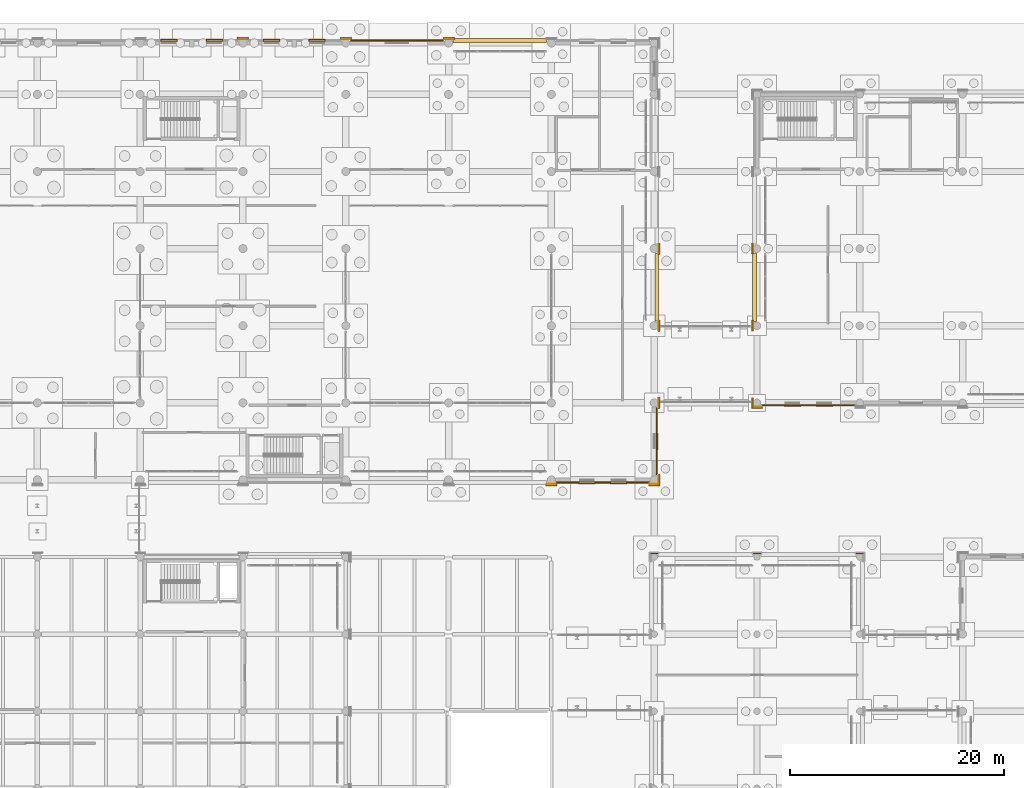
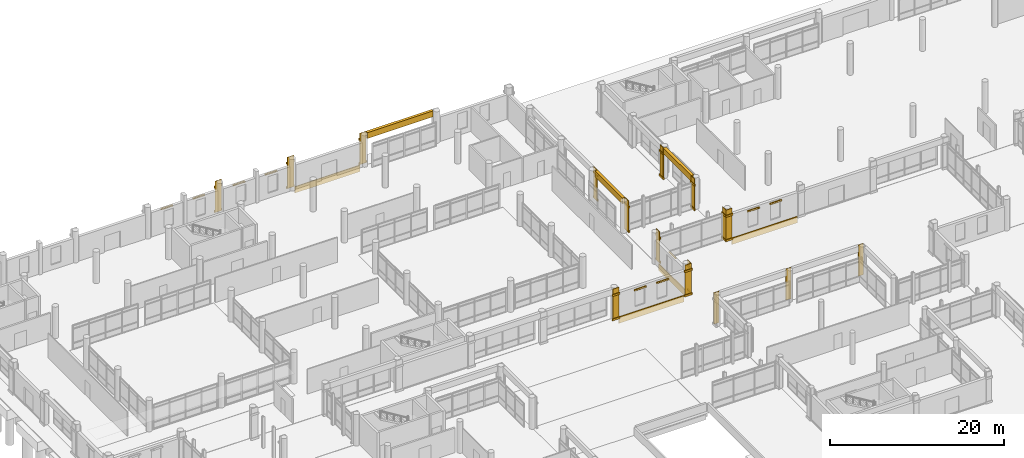
# One storey, part 187 of 196: 58 coverings.
"""IFC4 building model written with IfcOpenShell, lengths in metres."""

from ifc_helpers import new_model, si_unit, direction, frame, origin, origin_2d, place, context, subcontext, project, spatial, rectangle, extrude, material, layer, layer_set, type_object, element, save


model = new_model("IFC4")

# Units and contexts
model_context = context("Model", 3, precision=1e-05, world=origin(), true_north=direction((0.0, 1.0)))
body_context = subcontext(model_context, "Body", "Model", "MODEL_VIEW")
ifc_project = project(units=[si_unit("LENGTHUNIT", "METRE"), si_unit("AREAUNIT", "SQUARE_METRE"), si_unit("VOLUMEUNIT", "CUBIC_METRE"), si_unit("PLANEANGLEUNIT", "RADIAN"), si_unit("MASSUNIT", "GRAM", prefix="KILO")], contexts=[model_context])

# Site, building, storey
site_placement = place(None, origin())
site = spatial("IfcSite", under=ifc_project, at=site_placement, CompositionType="ELEMENT")
building_placement = place(site_placement, origin())
building = spatial("IfcBuilding", under=site, at=building_placement, Name="Asteropetra Specialist Clinic", CompositionType="ELEMENT")
storey_placement = place(building_placement, origin())
storey = spatial("IfcBuildingStorey", under=building, at=storey_placement, Name="L00", CompositionType="ELEMENT", Elevation=0.0)

# Coverings
ifc_material = material(Name="Pentelic marble ashlar", Category="masonry")
ifc_layer = layer(ifc_material, 0.159912109375)
ifc_layer_set = layer_set([ifc_layer], Name="Pentelic marble ashlar")
covering_type = type_object("IfcCoveringType", Name="CRN-ENTAB-600", PredefinedType="MOLDING", material=ifc_layer_set)
covering_1_placement = place(storey_placement, frame((62.39990234375, 110.639892578125, 3.58984375), z_axis=(0.0, 0.0, 1.0), x_axis=(1.0, 0.0, 0.0)))
element("IfcCovering", 1, at=covering_1_placement, inside=storey, type_object=covering_type, Name="Stoa Classical Entablature SE-0066", PredefinedType="MOLDING", context=body_context, shape_type="SweptSolid", body=[
    extrude(rectangle(XDim=8.72998046875, YDim=0.360107421875, at=origin_2d()), origin(), (0.0, 0.0, 1.0), 0.820068359375),
])
covering_2_placement = place(storey_placement, frame((77.0400390625, 87.60009765625, 3.58984375), z_axis=(0.0, 0.0, 1.0), x_axis=(1.0, 0.0, 0.0)))
element("IfcCovering", 2, at=covering_2_placement, inside=storey, type_object=covering_type, Name="Stoa Classical Entablature SE-0068", PredefinedType="MOLDING", context=body_context, shape_type="SweptSolid", body=[
    extrude(rectangle(XDim=0.360107421875, YDim=6.330078125, at=origin_2d()), origin(), (0.0, 0.0, 1.0), 0.820068359375),
])
covering_3_placement = place(storey_placement, frame((86.159912109375, 87.60009765625, 3.58984375), z_axis=(0.0, 0.0, 1.0), x_axis=(1.0, 0.0, 0.0)))
element("IfcCovering", 3, at=covering_3_placement, inside=storey, type_object=covering_type, Name="Stoa Classical Entablature SE-0093", PredefinedType="MOLDING", context=body_context, shape_type="SweptSolid", body=[
    extrude(rectangle(XDim=0.360107421875, YDim=6.3798828125, at=origin_2d()), origin(), (0.0, 0.0, 1.0), 0.820068359375),
])
covering_4_placement = place(storey_placement, frame((86.39990234375, 76.41796875, 0.02001953125), z_axis=(0.0, 0.0, 1.0), x_axis=(1.0, 0.0, 0.0)))
element("IfcCovering", 4, at=covering_4_placement, inside=storey, type_object=covering_type, Name="Neoclassical Pilaster Facing CM-0097", PredefinedType="MOLDING", context=body_context, shape_type="SweptSolid", body=[
    extrude(rectangle(XDim=0.780029296875, YDim=0.080078125, at=origin_2d()), origin(), (0.0, 0.0, 1.0), 4.3798828125),
])
for number, where, z_axis, x_axis, name in (
    (5, (86.39990234375, 76.3779296875, 0.009765625), (0.0, 0.0, 1.0), (1.0, 0.0, 0.0), "Doric Base CC-0098"),
    (6, (86.39990234375, 76.3779296875, 3.43017578125), (0.0, 0.0, 1.0), (1.0, 0.0, 0.0), "Doric Capital CC-0099"),
):
    element("IfcCovering", number, at=place(storey_placement, frame(where, z_axis=z_axis, x_axis=x_axis)), inside=storey, type_object=covering_type, Name=name, PredefinedType="MOLDING", context=body_context, shape_type="SweptSolid", body=[
        extrude(rectangle(XDim=0.97998046875, YDim=0.159912109375, at=origin_2d()), origin(), (0.0, 0.0, 1.0), 0.260009765625),
    ])
covering_5_placement = place(storey_placement, frame((86.01806640625, 76.800048828125, 0.02001953125), z_axis=(0.0, 0.0, 1.0), x_axis=(1.0, 0.0, 0.0)))
element("IfcCovering", 7, at=covering_5_placement, inside=storey, type_object=covering_type, Name="Neoclassical Pilaster Facing CM-0100", PredefinedType="MOLDING", context=body_context, shape_type="SweptSolid", body=[
    extrude(rectangle(XDim=0.080078125, YDim=0.780029296875, at=origin_2d()), origin(), (0.0, 0.0, 1.0), 4.3798828125),
])
for number, where, z_axis, x_axis, name in (
    (8, (85.97802734375, 76.800048828125, 0.009765625), (0.0, 0.0, 1.0), (1.0, 0.0, 0.0), "Doric Base CC-0101"),
    (9, (85.97802734375, 76.800048828125, 3.43017578125), (0.0, 0.0, 1.0), (1.0, 0.0, 0.0), "Doric Capital CC-0102"),
):
    element("IfcCovering", number, at=place(storey_placement, frame(where, z_axis=z_axis, x_axis=x_axis)), inside=storey, type_object=covering_type, Name=name, PredefinedType="MOLDING", context=body_context, shape_type="SweptSolid", body=[
        extrude(rectangle(XDim=0.159912109375, YDim=0.97998046875, at=origin_2d()), origin(), (0.0, 0.0, 1.0), 0.260009765625),
    ])
covering_6_placement = place(storey_placement, frame((86.01806640625, 84.0, 0.02001953125), z_axis=(0.0, 0.0, 1.0), x_axis=(1.0, 0.0, 0.0)))
element("IfcCovering", 10, at=covering_6_placement, inside=storey, type_object=covering_type, Name="Neoclassical Pilaster Facing CM-0103", PredefinedType="MOLDING", context=body_context, shape_type="SweptSolid", body=[
    extrude(rectangle(XDim=0.080078125, YDim=0.780029296875, at=origin_2d()), origin(), (0.0, 0.0, 1.0), 4.3798828125),
])
for number, where, z_axis, x_axis, name in (
    (11, (85.97802734375, 84.0, 0.009765625), (0.0, 0.0, 1.0), (1.0, 0.0, 0.0), "Doric Base CC-0104"),
    (12, (85.97802734375, 84.0, 3.43017578125), (0.0, 0.0, 1.0), (1.0, 0.0, 0.0), "Doric Capital CC-0105"),
):
    element("IfcCovering", number, at=place(storey_placement, frame(where, z_axis=z_axis, x_axis=x_axis)), inside=storey, type_object=covering_type, Name=name, PredefinedType="MOLDING", context=body_context, shape_type="SweptSolid", body=[
        extrude(rectangle(XDim=0.159912109375, YDim=0.97998046875, at=origin_2d()), origin(), (0.0, 0.0, 1.0), 0.260009765625),
    ])
covering_7_placement = place(storey_placement, frame((86.01806640625, 91.199951171875, 0.02001953125), z_axis=(0.0, 0.0, 1.0), x_axis=(1.0, 0.0, 0.0)))
element("IfcCovering", 13, at=covering_7_placement, inside=storey, type_object=covering_type, Name="Neoclassical Pilaster Facing CM-0106", PredefinedType="MOLDING", context=body_context, shape_type="SweptSolid", body=[
    extrude(rectangle(XDim=0.080078125, YDim=0.780029296875, at=origin_2d()), origin(), (0.0, 0.0, 1.0), 4.3798828125),
])
for number, where, z_axis, x_axis, name in (
    (14, (85.97802734375, 91.199951171875, 0.009765625), (0.0, 0.0, 1.0), (1.0, 0.0, 0.0), "Doric Base CC-0107"),
    (15, (85.97802734375, 91.199951171875, 3.43017578125), (0.0, 0.0, 1.0), (1.0, 0.0, 0.0), "Doric Capital CC-0108"),
):
    element("IfcCovering", number, at=place(storey_placement, frame(where, z_axis=z_axis, x_axis=x_axis)), inside=storey, type_object=covering_type, Name=name, PredefinedType="MOLDING", context=body_context, shape_type="SweptSolid", body=[
        extrude(rectangle(XDim=0.159912109375, YDim=0.97998046875, at=origin_2d()), origin(), (0.0, 0.0, 1.0), 0.260009765625),
    ])
for number, where, z_axis, x_axis, name in (
    (16, (76.800048828125, 62.73193359375, 0.02001953125), (0.0, 0.0, 1.0), (1.0, 0.0, 0.0), "Neoclassical Pilaster Facing CM-0394"),
    (17, (86.39990234375, 62.73193359375, 0.02001953125), (0.0, 0.0, 1.0), (1.0, 0.0, 0.0), "Neoclassical Pilaster Facing CM-0403"),
    (18, (96.0, 62.73193359375, 0.02001953125), (0.0, 0.0, 1.0), (1.0, 0.0, 0.0), "Neoclassical Pilaster Facing CM-0421"),
):
    element("IfcCovering", number, at=place(storey_placement, frame(where, z_axis=z_axis, x_axis=x_axis)), inside=storey, type_object=covering_type, Name=name, PredefinedType="MOLDING", context=body_context, shape_type="SweptSolid", body=[
        extrude(rectangle(XDim=0.679931640625, YDim=0.080078125, at=origin_2d()), origin(), (0.0, 0.0, 1.0), 4.3798828125),
    ])
covering_8_placement = place(storey_placement, frame((38.39990234375, 110.806884765625, 0.02001953125), z_axis=(0.0, 0.0, 1.0), x_axis=(1.0, 0.0, 0.0)))
element("IfcCovering", 19, at=covering_8_placement, inside=storey, type_object=covering_type, Name="Neoclassical Pilaster Facing CM-0505", PredefinedType="MOLDING", context=body_context, shape_type="SweptSolid", body=[
    extrude(rectangle(XDim=0.830078125, YDim=0.080078125, at=origin_2d()), origin(), (0.0, 0.0, 1.0), 4.3798828125),
])
for number, where, z_axis, x_axis, name in (
    (20, (38.39990234375, 110.846923828125, 0.009765625), (0.0, 0.0, 1.0), (1.0, 0.0, 0.0), "Doric Base CC-0506"),
    (21, (38.39990234375, 110.846923828125, 3.43017578125), (0.0, 0.0, 1.0), (1.0, 0.0, 0.0), "Doric Capital CC-0507"),
):
    element("IfcCovering", number, at=place(storey_placement, frame(where, z_axis=z_axis, x_axis=x_axis)), inside=storey, type_object=covering_type, Name=name, PredefinedType="MOLDING", context=body_context, shape_type="SweptSolid", body=[
        extrude(rectangle(XDim=1.030029296875, YDim=0.159912109375, at=origin_2d()), origin(), (0.0, 0.0, 1.0), 0.260009765625),
    ])
covering_9_placement = place(storey_placement, frame((48.0, 110.806884765625, 0.02001953125), z_axis=(0.0, 0.0, 1.0), x_axis=(1.0, 0.0, 0.0)))
element("IfcCovering", 22, at=covering_9_placement, inside=storey, type_object=covering_type, Name="Neoclassical Pilaster Facing CM-0511", PredefinedType="MOLDING", context=body_context, shape_type="SweptSolid", body=[
    extrude(rectangle(XDim=0.830078125, YDim=0.080078125, at=origin_2d()), origin(), (0.0, 0.0, 1.0), 4.3798828125),
])
for number, where, z_axis, x_axis, name in (
    (23, (48.0, 110.846923828125, 0.009765625), (0.0, 0.0, 1.0), (1.0, 0.0, 0.0), "Doric Base CC-0512"),
    (24, (48.0, 110.846923828125, 3.43017578125), (0.0, 0.0, 1.0), (1.0, 0.0, 0.0), "Doric Capital CC-0513"),
):
    element("IfcCovering", number, at=place(storey_placement, frame(where, z_axis=z_axis, x_axis=x_axis)), inside=storey, type_object=covering_type, Name=name, PredefinedType="MOLDING", context=body_context, shape_type="SweptSolid", body=[
        extrude(rectangle(XDim=1.030029296875, YDim=0.159912109375, at=origin_2d()), origin(), (0.0, 0.0, 1.0), 0.260009765625),
    ])
covering_10_placement = place(storey_placement, frame((57.60009765625, 110.806884765625, 0.02001953125), z_axis=(0.0, 0.0, 1.0), x_axis=(1.0, 0.0, 0.0)))
element("IfcCovering", 25, at=covering_10_placement, inside=storey, type_object=covering_type, Name="Neoclassical Pilaster Facing CM-0517", PredefinedType="MOLDING", context=body_context, shape_type="SweptSolid", body=[
    extrude(rectangle(XDim=0.830078125, YDim=0.080078125, at=origin_2d()), origin(), (0.0, 0.0, 1.0), 4.3798828125),
])
for number, where, z_axis, x_axis, name in (
    (26, (57.60009765625, 110.846923828125, 0.009765625), (0.0, 0.0, 1.0), (1.0, 0.0, 0.0), "Doric Base CC-0518"),
    (27, (57.60009765625, 110.846923828125, 3.43017578125), (0.0, 0.0, 1.0), (1.0, 0.0, 0.0), "Doric Capital CC-0519"),
):
    element("IfcCovering", number, at=place(storey_placement, frame(where, z_axis=z_axis, x_axis=x_axis)), inside=storey, type_object=covering_type, Name=name, PredefinedType="MOLDING", context=body_context, shape_type="SweptSolid", body=[
        extrude(rectangle(XDim=1.030029296875, YDim=0.159912109375, at=origin_2d()), origin(), (0.0, 0.0, 1.0), 0.260009765625),
    ])
covering_11_placement = place(storey_placement, frame((67.199951171875, 69.193115234375, 0.02001953125), z_axis=(0.0, 0.0, 1.0), x_axis=(1.0, 0.0, 0.0)))
element("IfcCovering", 28, at=covering_11_placement, inside=storey, type_object=covering_type, Name="Neoclassical Pilaster Facing CM-0520", PredefinedType="MOLDING", context=body_context, shape_type="SweptSolid", body=[
    extrude(rectangle(XDim=0.830078125, YDim=0.080078125, at=origin_2d()), origin(), (0.0, 0.0, 1.0), 4.3798828125),
])
for number, where, z_axis, x_axis, name in (
    (29, (67.199951171875, 69.153076171875, 0.009765625), (0.0, 0.0, 1.0), (1.0, 0.0, 0.0), "Doric Base CC-0521"),
    (30, (67.199951171875, 69.153076171875, 3.43017578125), (0.0, 0.0, 1.0), (1.0, 0.0, 0.0), "Doric Capital CC-0522"),
):
    element("IfcCovering", number, at=place(storey_placement, frame(where, z_axis=z_axis, x_axis=x_axis)), inside=storey, type_object=covering_type, Name=name, PredefinedType="MOLDING", context=body_context, shape_type="SweptSolid", body=[
        extrude(rectangle(XDim=1.030029296875, YDim=0.159912109375, at=origin_2d()), origin(), (0.0, 0.0, 1.0), 0.260009765625),
    ])
covering_12_placement = place(storey_placement, frame((76.800048828125, 69.193115234375, 0.02001953125), z_axis=(0.0, 0.0, 1.0), x_axis=(1.0, 0.0, 0.0)))
element("IfcCovering", 31, at=covering_12_placement, inside=storey, type_object=covering_type, Name="Neoclassical Pilaster Facing CM-0526", PredefinedType="MOLDING", context=body_context, shape_type="SweptSolid", body=[
    extrude(rectangle(XDim=0.830078125, YDim=0.080078125, at=origin_2d()), origin(), (0.0, 0.0, 1.0), 4.3798828125),
])
for number, where, z_axis, x_axis, name in (
    (32, (76.800048828125, 69.153076171875, 0.009765625), (0.0, 0.0, 1.0), (1.0, 0.0, 0.0), "Doric Base CC-0527"),
    (33, (76.800048828125, 69.153076171875, 3.43017578125), (0.0, 0.0, 1.0), (1.0, 0.0, 0.0), "Doric Capital CC-0528"),
):
    element("IfcCovering", number, at=place(storey_placement, frame(where, z_axis=z_axis, x_axis=x_axis)), inside=storey, type_object=covering_type, Name=name, PredefinedType="MOLDING", context=body_context, shape_type="SweptSolid", body=[
        extrude(rectangle(XDim=1.030029296875, YDim=0.159912109375, at=origin_2d()), origin(), (0.0, 0.0, 1.0), 0.260009765625),
    ])
covering_13_placement = place(storey_placement, frame((77.20703125, 69.60009765625, 0.02001953125), z_axis=(0.0, 0.0, 1.0), x_axis=(1.0, 0.0, 0.0)))
element("IfcCovering", 34, at=covering_13_placement, inside=storey, type_object=covering_type, Name="Neoclassical Pilaster Facing CM-0529", PredefinedType="MOLDING", context=body_context, shape_type="SweptSolid", body=[
    extrude(rectangle(XDim=0.080078125, YDim=0.830078125, at=origin_2d()), origin(), (0.0, 0.0, 1.0), 4.3798828125),
])
for number, where, z_axis, x_axis, name in (
    (35, (77.2470703125, 69.60009765625, 0.009765625), (0.0, 0.0, 1.0), (1.0, 0.0, 0.0), "Doric Base CC-0530"),
    (36, (77.2470703125, 69.60009765625, 3.43017578125), (0.0, 0.0, 1.0), (1.0, 0.0, 0.0), "Doric Capital CC-0531"),
):
    element("IfcCovering", number, at=place(storey_placement, frame(where, z_axis=z_axis, x_axis=x_axis)), inside=storey, type_object=covering_type, Name=name, PredefinedType="MOLDING", context=body_context, shape_type="SweptSolid", body=[
        extrude(rectangle(XDim=0.159912109375, YDim=1.030029296875, at=origin_2d()), origin(), (0.0, 0.0, 1.0), 0.260009765625),
    ])
covering_14_placement = place(storey_placement, frame((77.20703125, 76.800048828125, 0.02001953125), z_axis=(0.0, 0.0, 1.0), x_axis=(1.0, 0.0, 0.0)))
element("IfcCovering", 37, at=covering_14_placement, inside=storey, type_object=covering_type, Name="Neoclassical Pilaster Facing CM-0532", PredefinedType="MOLDING", context=body_context, shape_type="SweptSolid", body=[
    extrude(rectangle(XDim=0.080078125, YDim=0.830078125, at=origin_2d()), origin(), (0.0, 0.0, 1.0), 4.3798828125),
])
for number, where, z_axis, x_axis, name in (
    (38, (77.2470703125, 76.800048828125, 0.009765625), (0.0, 0.0, 1.0), (1.0, 0.0, 0.0), "Doric Base CC-0533"),
    (39, (77.2470703125, 76.800048828125, 3.43017578125), (0.0, 0.0, 1.0), (1.0, 0.0, 0.0), "Doric Capital CC-0534"),
):
    element("IfcCovering", number, at=place(storey_placement, frame(where, z_axis=z_axis, x_axis=x_axis)), inside=storey, type_object=covering_type, Name=name, PredefinedType="MOLDING", context=body_context, shape_type="SweptSolid", body=[
        extrude(rectangle(XDim=0.159912109375, YDim=1.030029296875, at=origin_2d()), origin(), (0.0, 0.0, 1.0), 0.260009765625),
    ])
covering_15_placement = place(storey_placement, frame((77.20703125, 84.0, 0.02001953125), z_axis=(0.0, 0.0, 1.0), x_axis=(1.0, 0.0, 0.0)))
element("IfcCovering", 40, at=covering_15_placement, inside=storey, type_object=covering_type, Name="Neoclassical Pilaster Facing CM-0535", PredefinedType="MOLDING", context=body_context, shape_type="SweptSolid", body=[
    extrude(rectangle(XDim=0.080078125, YDim=0.830078125, at=origin_2d()), origin(), (0.0, 0.0, 1.0), 4.3798828125),
])
for number, where, z_axis, x_axis, name in (
    (41, (77.2470703125, 84.0, 0.009765625), (0.0, 0.0, 1.0), (1.0, 0.0, 0.0), "Doric Base CC-0536"),
    (42, (77.2470703125, 84.0, 3.43017578125), (0.0, 0.0, 1.0), (1.0, 0.0, 0.0), "Doric Capital CC-0537"),
):
    element("IfcCovering", number, at=place(storey_placement, frame(where, z_axis=z_axis, x_axis=x_axis)), inside=storey, type_object=covering_type, Name=name, PredefinedType="MOLDING", context=body_context, shape_type="SweptSolid", body=[
        extrude(rectangle(XDim=0.159912109375, YDim=1.030029296875, at=origin_2d()), origin(), (0.0, 0.0, 1.0), 0.260009765625),
    ])
covering_16_placement = place(storey_placement, frame((77.20703125, 91.199951171875, 0.02001953125), z_axis=(0.0, 0.0, 1.0), x_axis=(1.0, 0.0, 0.0)))
element("IfcCovering", 43, at=covering_16_placement, inside=storey, type_object=covering_type, Name="Neoclassical Pilaster Facing CM-0538", PredefinedType="MOLDING", context=body_context, shape_type="SweptSolid", body=[
    extrude(rectangle(XDim=0.080078125, YDim=0.830078125, at=origin_2d()), origin(), (0.0, 0.0, 1.0), 4.3798828125),
])
for number, where, z_axis, x_axis, name in (
    (44, (77.2470703125, 91.199951171875, 0.009765625), (0.0, 0.0, 1.0), (1.0, 0.0, 0.0), "Doric Base CC-0539"),
    (45, (77.2470703125, 91.199951171875, 3.43017578125), (0.0, 0.0, 1.0), (1.0, 0.0, 0.0), "Doric Capital CC-0540"),
):
    element("IfcCovering", number, at=place(storey_placement, frame(where, z_axis=z_axis, x_axis=x_axis)), inside=storey, type_object=covering_type, Name=name, PredefinedType="MOLDING", context=body_context, shape_type="SweptSolid", body=[
        extrude(rectangle(XDim=0.159912109375, YDim=1.030029296875, at=origin_2d()), origin(), (0.0, 0.0, 1.0), 0.260009765625),
    ])
for number, where, z_axis, x_axis, name in (
    (46, (89.716796875, 76.5400390625, 3.05029296875), (0.0, 0.0, 1.0), (1.0, 0.0, 0.0), "Classical Window Hood WH-1189"),
    (47, (92.683349609375, 76.5400390625, 3.05029296875), (0.0, 0.0, 1.0), (1.0, 0.0, 0.0), "Classical Window Hood WH-1190"),
):
    element("IfcCovering", number, at=place(storey_placement, frame(where, z_axis=z_axis, x_axis=x_axis)), inside=storey, type_object=covering_type, Name=name, PredefinedType="MOLDING", context=body_context, shape_type="SweptSolid", body=[
        extrude(rectangle(XDim=1.5400390625, YDim=0.159912109375, at=origin_2d()), origin(), (0.0, 0.0, 1.0), 0.139892578125),
    ])
covering_17_placement = place(storey_placement, frame((91.199951171875, 76.570068359375, -0.800048828125), z_axis=(0.0, 0.0, 1.0), x_axis=(1.0, 0.0, 0.0)))
element("IfcCovering", 48, at=covering_17_placement, inside=storey, type_object=covering_type, Name="Chevron Spandrel Band CV-1191", PredefinedType="MOLDING", context=body_context, shape_type="SweptSolid", body=[
    extrude(rectangle(XDim=8.699951171875, YDim=0.1201171875, at=origin_2d()), origin(), (0.0, 0.0, 1.0), 0.8798828125),
])
for number, where, z_axis, x_axis, name in (
    (49, (35.72412109375, 110.659912109375, 3.05029296875), (0.0, 0.0, 1.0), (1.0, 0.0, 0.0), "Classical Window Hood WH-1384"),
    (50, (31.47607421875, 110.659912109375, 3.05029296875), (0.0, 0.0, 1.0), (1.0, 0.0, 0.0), "Classical Window Hood WH-1385"),
    (51, (45.323974609375, 110.659912109375, 3.05029296875), (0.0, 0.0, 1.0), (1.0, 0.0, 0.0), "Classical Window Hood WH-1388"),
    (52, (41.075927734375, 110.659912109375, 3.05029296875), (0.0, 0.0, 1.0), (1.0, 0.0, 0.0), "Classical Window Hood WH-1389"),
):
    element("IfcCovering", number, at=place(storey_placement, frame(where, z_axis=z_axis, x_axis=x_axis)), inside=storey, type_object=covering_type, Name=name, PredefinedType="MOLDING", context=body_context, shape_type="SweptSolid", body=[
        extrude(rectangle(XDim=1.5400390625, YDim=0.159912109375, at=origin_2d()), origin(), (0.0, 0.0, 1.0), 0.139892578125),
    ])
covering_18_placement = place(storey_placement, frame((52.800048828125, 110.6298828125, -0.800048828125), z_axis=(0.0, 0.0, 1.0), x_axis=(1.0, 0.0, 0.0)))
element("IfcCovering", 53, at=covering_18_placement, inside=storey, type_object=covering_type, Name="Chevron Spandrel Band CV-1391", PredefinedType="MOLDING", context=body_context, shape_type="SweptSolid", body=[
    extrude(rectangle(XDim=8.64990234375, YDim=0.1201171875, at=origin_2d()), origin(), (0.0, 0.0, 1.0), 0.8798828125),
])
for number, where, z_axis, x_axis, name in (
    (54, (70.52490234375, 69.340087890625, 3.05029296875), (0.0, 0.0, 1.0), (1.0, 0.0, 0.0), "Classical Window Hood WH-1392"),
    (55, (73.47509765625, 69.340087890625, 3.05029296875), (0.0, 0.0, 1.0), (1.0, 0.0, 0.0), "Classical Window Hood WH-1393"),
):
    element("IfcCovering", number, at=place(storey_placement, frame(where, z_axis=z_axis, x_axis=x_axis)), inside=storey, type_object=covering_type, Name=name, PredefinedType="MOLDING", context=body_context, shape_type="SweptSolid", body=[
        extrude(rectangle(XDim=1.5400390625, YDim=0.159912109375, at=origin_2d()), origin(), (0.0, 0.0, 1.0), 0.139892578125),
    ])
covering_19_placement = place(storey_placement, frame((72.0, 69.3701171875, -0.800048828125), z_axis=(0.0, 0.0, 1.0), x_axis=(1.0, 0.0, 0.0)))
element("IfcCovering", 56, at=covering_19_placement, inside=storey, type_object=covering_type, Name="Chevron Spandrel Band CV-1394", PredefinedType="MOLDING", context=body_context, shape_type="SweptSolid", body=[
    extrude(rectangle(XDim=8.64990234375, YDim=0.1201171875, at=origin_2d()), origin(), (0.0, 0.0, 1.0), 0.8798828125),
])
covering_20_placement = place(storey_placement, frame((77.06005859375, 73.199951171875, 3.05029296875), z_axis=(0.0, 0.0, 1.0), x_axis=(1.0, 0.0, 0.0)))
element("IfcCovering", 57, at=covering_20_placement, inside=storey, type_object=covering_type, Name="Classical Window Hood WH-1400", PredefinedType="MOLDING", context=body_context, shape_type="SweptSolid", body=[
    extrude(rectangle(XDim=0.159912109375, YDim=1.5400390625, at=origin_2d()), origin(), (0.0, 0.0, 1.0), 0.139892578125),
])
covering_21_placement = place(storey_placement, frame((77.030029296875, 73.199951171875, -0.800048828125), z_axis=(0.0, 0.0, 1.0), x_axis=(1.0, 0.0, 0.0)))
element("IfcCovering", 58, at=covering_21_placement, inside=storey, type_object=covering_type, Name="Chevron Spandrel Band CV-1401", PredefinedType="MOLDING", context=body_context, shape_type="SweptSolid", body=[
    extrude(rectangle(XDim=0.1201171875, YDim=6.25, at=origin_2d()), origin(), (0.0, 0.0, 1.0), 0.8798828125),
])

save(model, "model.ifc")
